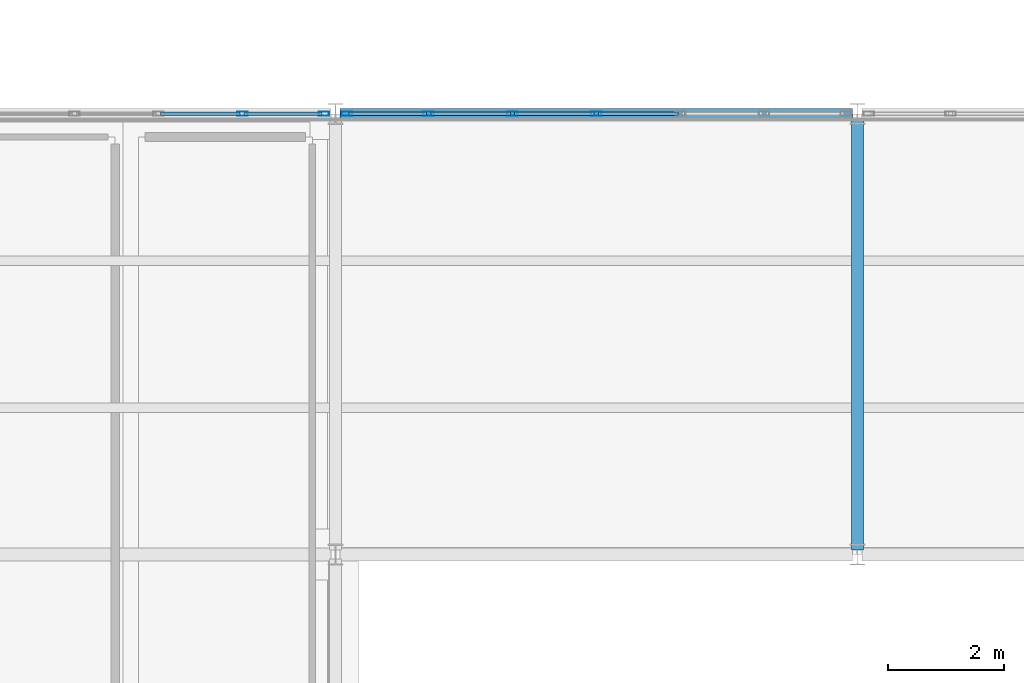
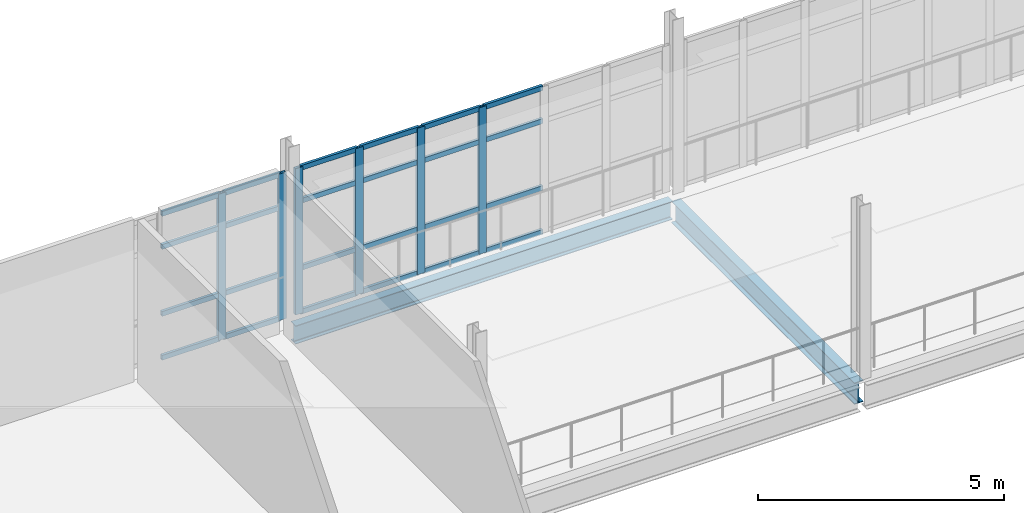
# One storey, part 45 of 174: 30 members, 2 beams, 2 elements without a shape of their own.
"""IFC4 building model written with IfcOpenShell, lengths in metres."""

import ifcopenshell
import ifcopenshell.guid

model = None  # the IFC model being written
_history = None  # IfcOwnerHistory: only IFC2X3 demands one
_inside = {}  # id of a spatial element -> (the spatial element, [elements in it])
_under = {}  # id of a project, library or spatial element -> (it, [spatial elements below it])
_declared = {}  # id of a project -> (the project, [libraries it declares])
_typed = {}  # id of a type object -> (the type object, [elements of that type])
_made_of = {}  # id of a material, layer set ... -> (it, [elements and type objects made of it])


def new_model(schema):
    """Start an empty IFC model of exactly this schema.

    Asked for "IFC4X3", IfcOpenShell would pick the latest addendum, in which some entities
    have other attributes; the version numbers below select the first issue.
    IFC2X3 requires an IfcOwnerHistory on every rooted entity: one is made here for all.
    """
    global model, _history
    if schema == "IFC4X3":
        model = ifcopenshell.file(schema_version=(4, 3, 0, 0))
    else:
        model = ifcopenshell.file(schema=schema)
    _inside.clear()
    _under.clear()
    _declared.clear()
    _typed.clear()
    _made_of.clear()
    _history = None
    if model.schema == "IFC2X3":
        org = make("IfcOrganization", Name="unknown")
        user = make(
            "IfcPersonAndOrganization",
            ThePerson=make("IfcPerson", FamilyName="unknown"),
            TheOrganization=org,
        )
        app = make(
            "IfcApplication",
            ApplicationDeveloper=org,
            Version="unknown",
            ApplicationFullName="unknown",
            ApplicationIdentifier="unknown",
        )
        _history = make(
            "IfcOwnerHistory",
            OwningUser=user,
            OwningApplication=app,
            ChangeAction="ADDED",
            CreationDate=0,
        )
    return model


def make(cls, **values):
    """One entity of the class cls with the attributes given. An attribute that is None is left unset."""
    return model.create_entity(
        cls, **{name: value for name, value in values.items() if value is not None}
    )


def rooted(cls, **values):
    """An entity with a GlobalId (a new one), such as an element, a storey or a relation."""
    return make(cls, GlobalId=ifcopenshell.guid.new(), OwnerHistory=_history, **values)


def si_unit(unit_type, name, prefix=None):
    """IfcSIUnit, for example si_unit("LENGTHUNIT", "METRE", prefix="MILLI")."""
    return make("IfcSIUnit", UnitType=unit_type, Prefix=prefix, Name=name)


def assignment(units):
    """IfcUnitAssignment: the units of a project."""
    return None if units is None else make("IfcUnitAssignment", Units=units)


def point(xyz):
    """IfcCartesianPoint."""
    return None if xyz is None else make("IfcCartesianPoint", Coordinates=xyz)


def direction(xyz):
    """IfcDirection."""
    return None if xyz is None else make("IfcDirection", DirectionRatios=xyz)


def frame(location, z_axis=None, x_axis=None):
    """IfcAxis2Placement3D, a coordinate frame: its origin and axes. An axis left out is left unset."""
    return make(
        "IfcAxis2Placement3D",
        Location=point(location),
        Axis=direction(z_axis),
        RefDirection=direction(x_axis),
    )


def frame_2d(location, x_axis=None):
    """IfcAxis2Placement2D, a coordinate frame in the plane: its origin and x axis."""
    return make(
        "IfcAxis2Placement2D", Location=point(location), RefDirection=direction(x_axis)
    )


def origin():
    """The frame at (0, 0, 0) with its axes left unset."""
    return frame((0.0, 0.0, 0.0))


def origin_2d():
    """The frame at (0, 0) in the plane with its x axis left unset."""
    return frame_2d((0.0, 0.0))


def place(relative_to, where):
    """IfcLocalPlacement: puts the frame where relative to a parent placement (None: the world)."""
    return make(
        "IfcLocalPlacement", PlacementRelTo=relative_to, RelativePlacement=where
    )


def context(
    kind, dimensions, precision=None, world=None, true_north=None, identifier=None
):
    """IfcGeometricRepresentationContext, for example the 3D "Model" context."""
    return make(
        "IfcGeometricRepresentationContext",
        ContextIdentifier=identifier,
        ContextType=kind,
        CoordinateSpaceDimension=dimensions,
        Precision=precision,
        WorldCoordinateSystem=world,
        TrueNorth=true_north,
    )


def subcontext(parent, identifier, kind, view, scale=None):
    """IfcGeometricRepresentationSubContext, for example "Body" below "Model"."""
    return make(
        "IfcGeometricRepresentationSubContext",
        ContextIdentifier=identifier,
        ContextType=kind,
        ParentContext=parent,
        TargetScale=scale,
        TargetView=view,
    )


def project(units=None, contexts=None):
    """IfcProject with its units and contexts."""
    return rooted(
        "IfcProject",
        Name="project",
        RepresentationContexts=contexts,
        UnitsInContext=assignment(units),
    )


def spatial(cls, under=None, at=None, **own):
    """A site, building, storey or space (cls), placed at a placement, below another one or the project."""
    s = rooted(cls, ObjectPlacement=at, **own)
    if under is not None:
        _under.setdefault(under.id(), (under, []))[1].append(s)
    return s


def profile(cls, at=None, kind="AREA", **sizes):
    """A parametric profile (cls). Its sizes go by their IFC names, for example OverallWidth=200.0."""
    return make(cls, ProfileType=kind, Position=at, **sizes)


def hollow_rectangle(**sizes):
    """IfcRectangleHollowProfileDef."""
    return profile("IfcRectangleHollowProfileDef", **sizes)


def i_section(**sizes):
    """IfcIShapeProfileDef."""
    return profile("IfcIShapeProfileDef", **sizes)


def extrude(swept, where, along, depth):
    """IfcExtrudedAreaSolid: the profile swept, set in the frame where, extruded along a direction by depth."""
    return make(
        "IfcExtrudedAreaSolid",
        SweptArea=swept,
        Position=where,
        ExtrudedDirection=direction(along),
        Depth=depth,
    )


def shape(context_of_items, identifier, shape_type, items):
    """IfcShapeRepresentation: the items that make up one representation, for example the "Body"."""
    return make(
        "IfcShapeRepresentation",
        ContextOfItems=context_of_items,
        RepresentationIdentifier=identifier,
        RepresentationType=shape_type,
        Items=items,
    )


def material(Name=None, Category=None):
    """IfcMaterial."""
    return make("IfcMaterial", Name=Name, Category=Category)


def material_profile(
    of_material, cross_section, Name=None, Category=None, Priority=None
):
    """IfcMaterialProfile: a cross section and its material."""
    return make(
        "IfcMaterialProfile",
        Name=Name,
        Material=of_material,
        Profile=cross_section,
        Priority=Priority,
        Category=Category,
    )


def profile_set(profiles, Name=None, composite=None):
    """IfcMaterialProfileSet."""
    return make(
        "IfcMaterialProfileSet",
        Name=Name,
        MaterialProfiles=profiles,
        CompositeProfile=composite,
    )


def made_of(thing, what):
    """Note that an element or type object is made of a material, layer set ...; save() writes the relation."""
    if what is not None:
        _made_of.setdefault(what.id(), (what, []))[1].append(thing)
    return thing


def type_object(cls, material=None, **own):
    """A type object (cls), such as IfcWallType, which elements share."""
    return made_of(rooted(cls, **own), material)


def element(
    cls,
    number,
    at=None,
    inside=None,
    cuts=None,
    type_object=None,
    material=None,
    context=None,
    identifier="Body",
    shape_type=None,
    held_by="IfcProductDefinitionShape",
    body=None,
    shapes=None,
    **own,
):
    """One element of the class cls, such as IfcWall. Its Tag is "e" and its number.

    at: its placement. inside: the storey or other place that contains it. cuts: it is an
    opening in that element (IfcRelVoidsElement). A single representation is given by context,
    identifier, shape_type and body (its items); several are given by shapes. held_by: the class
    of the entity that holds the representations. save() writes the other relations.
    """
    e = rooted(cls, Tag="e%d" % number, ObjectPlacement=at, **own)
    if body is not None:
        shapes = [shape(context, identifier, shape_type, body)]
    if shapes is not None:
        e.Representation = make(held_by, Representations=shapes)
    if inside is not None:
        _inside.setdefault(inside.id(), (inside, []))[1].append(e)
    if cuts is not None:
        rooted(
            "IfcRelVoidsElement", RelatingBuildingElement=cuts, RelatedOpeningElement=e
        )
    if type_object is not None:
        _typed.setdefault(type_object.id(), (type_object, []))[1].append(e)
    return made_of(e, material)


def aggregate(whole, parts):
    """IfcRelAggregates: a whole, such as a stair, and the parts it consists of."""
    return rooted("IfcRelAggregates", RelatingObject=whole, RelatedObjects=parts)


def save(model, path):
    """Write the relations noted so far, then the file.

    IfcRelAggregates (storeys below a building ...), IfcRelContainedInSpatialStructure (elements
    in a storey), IfcRelDefinesByType, IfcRelAssociatesMaterial and IfcRelDeclares: one each for
    every whole, place, type object, material and project.
    """
    for whole, parts in _under.values():
        aggregate(whole, parts)
    for where, things in _inside.values():
        rooted(
            "IfcRelContainedInSpatialStructure",
            RelatedElements=things,
            RelatingStructure=where,
        )
    for kind, things in _typed.values():
        rooted("IfcRelDefinesByType", RelatedObjects=things, RelatingType=kind)
    for what, things in _made_of.values():
        rooted("IfcRelAssociatesMaterial", RelatedObjects=things, RelatingMaterial=what)
    for by, libraries in _declared.values():
        rooted("IfcRelDeclares", RelatingContext=by, RelatedDefinitions=libraries)
    model.write(path)


model = new_model("IFC4")

# Units and contexts
model_context = context("Model", 3, precision=1e-05, world=origin(), true_north=direction((0.0, 1.0)))
body_context = subcontext(model_context, "Body", "Model", "MODEL_VIEW")
ifc_project = project(units=[si_unit("LENGTHUNIT", "METRE"), si_unit("AREAUNIT", "SQUARE_METRE"), si_unit("VOLUMEUNIT", "CUBIC_METRE"), si_unit("PLANEANGLEUNIT", "RADIAN"), si_unit("MASSUNIT", "GRAM", prefix="KILO")], contexts=[model_context])

# Site, building, storey
site_placement = place(None, origin())
site = spatial("IfcSite", under=ifc_project, at=site_placement, CompositionType="ELEMENT")
building_placement = place(site_placement, origin())
building = spatial("IfcBuilding", under=site, at=building_placement, Name="Caisbarro Railhouse Central Library", CompositionType="ELEMENT")
storey_placement = place(building_placement, frame((0.0, 0.0, 5.0400390625)))
storey = spatial("IfcBuildingStorey", under=building, at=storey_placement, Name="L01", CompositionType="ELEMENT", Elevation=5.0400390625)

# Beams
ifc_material_1 = material(Name="Steel ASTM A572 Grade 50", Category="steel")
ifc_material_profile_1 = material_profile(ifc_material_1, i_section(OverallWidth=0.208984375, OverallDepth=0.532958984375, WebThickness=0.01025390625, FlangeThickness=0.015625, FilletRadius=0.02001953125, at=origin_2d()), Name="W530X92.0")
ifc_profile_set_1 = profile_set([ifc_material_profile_1], Name="Steel ASTM A572 Grade 50")
beam_type_1 = type_object("IfcBeamType", Name="BM-G06", PredefinedType="BEAM", material=ifc_profile_set_1)
beam_1_placement = place(storey_placement, frame((27.0, 53.280029296875, -0.486572265625), z_axis=(0.0, 1.0, 0.0), x_axis=(-1.0, 0.0, 0.0)))
element("IfcBeam", 1, at=beam_1_placement, inside=storey, type_object=beam_type_1, Name="G06 beam L01 #838", PredefinedType="BEAM", context=body_context, shape_type="SweptSolid", body=[
    extrude(i_section(OverallWidth=0.208984375, OverallDepth=0.532958984375, WebThickness=0.01025390625, FlangeThickness=0.015625, FilletRadius=0.02001953125, at=origin_2d()), origin(), (0.0, 0.0, 1.0), 7.43994140625),
])
ifc_material_profile_2 = material_profile(ifc_material_1, i_section(OverallWidth=0.18994140625, OverallDepth=0.45703125, WebThickness=0.009033203125, FlangeThickness=0.014404296875, FilletRadius=0.01806640625, at=origin_2d()), Name="W460X74.0")
ifc_profile_set_2 = profile_set([ifc_material_profile_2], Name="Steel ASTM A572 Grade 50")
beam_type_2 = type_object("IfcBeamType", Name="BM-SP01", PredefinedType="SPANDREL", material=ifc_profile_set_2)
beam_2_placement = place(storey_placement, frame((18.080078125, 60.800048828125, -0.448486328125), z_axis=(1.0, 0.0, 0.0), x_axis=(0.0, 1.0, 0.0)))
element("IfcBeam", 2, at=beam_2_placement, inside=storey, type_object=beam_type_2, Name="SP01 beam L01 #819", PredefinedType="SPANDREL", context=body_context, shape_type="SweptSolid", body=[
    extrude(i_section(OverallWidth=0.18994140625, OverallDepth=0.45703125, WebThickness=0.009033203125, FlangeThickness=0.014404296875, FilletRadius=0.01806640625, at=origin_2d()), origin(), (0.0, 0.0, 1.0), 8.83984375),
])

# Curtain wall, members
ifc_material_2 = material(Name="Anodised architectural aluminium", Category="aluminium")
curtain_wall_type = type_object("IfcCurtainWallType", Name="CW-CW02", PredefinedType="NOTDEFINED", material=ifc_material_2)
curtain_wall_1_placement = place(storey_placement, origin())
curtain_wall_1 = element("IfcCurtainWall", 3, at=curtain_wall_1_placement, inside=storey, type_object=curtain_wall_type, Name="CW02 curtain wall L01 #4", PredefinedType="NOTDEFINED")
ifc_material_profile_3 = material_profile(ifc_material_2, hollow_rectangle(XDim=0.074951171875, YDim=0.179931640625, WallThickness=0.00439453125, at=origin_2d()), Name="ALU-MUL-75X180")
ifc_profile_set_3 = profile_set([ifc_material_profile_3], Name="Anodised architectural aluminium")
member_type_1 = type_object("IfcMemberType", Name="CWM-M01", PredefinedType="MULLION", material=ifc_profile_set_3)
member_1_placement = place(storey_placement, frame((16.393310546875, 60.800048828125, 0.0), z_axis=(0.0, 0.0, 1.0), x_axis=(0.0, 1.0, 0.0)))
member_1 = element("IfcMember", 4, at=member_1_placement, type_object=member_type_1, Name="CW02 mullion 6", PredefinedType="MULLION", context=body_context, shape_type="SweptSolid", body=[
    extrude(hollow_rectangle(XDim=0.074951171875, YDim=0.179931640625, WallThickness=0.00439453125, at=origin_2d()), origin(), (0.0, 0.0, 1.0), 3.6298828125),
])
member_2_placement = place(storey_placement, frame((17.802490234375, 60.800048828125, 0.0), z_axis=(0.0, 0.0, 1.0), x_axis=(0.0, 1.0, 0.0)))
member_2 = element("IfcMember", 5, at=member_2_placement, type_object=member_type_1, Name="CW02 mullion 7", PredefinedType="MULLION", context=body_context, shape_type="SweptSolid", body=[
    extrude(hollow_rectangle(XDim=0.074951171875, YDim=0.179931640625, WallThickness=0.00439453125, at=origin_2d()), origin(), (0.0, 0.0, 1.0), 3.6298828125),
])

curtain_wall_2_placement = place(storey_placement, origin())
curtain_wall_2 = element("IfcCurtainWall", 6, at=curtain_wall_2_placement, inside=storey, type_object=curtain_wall_type, Name="CW02 curtain wall L01 #7", PredefinedType="NOTDEFINED")
member_3_placement = place(storey_placement, frame((18.197509765625, 60.800048828125, 0.0), z_axis=(0.0, 0.0, 1.0), x_axis=(0.0, 1.0, 0.0)))
member_3 = element("IfcMember", 7, at=member_3_placement, type_object=member_type_1, Name="CW02 mullion 1", PredefinedType="MULLION", context=body_context, shape_type="SweptSolid", body=[
    extrude(hollow_rectangle(XDim=0.074951171875, YDim=0.179931640625, WallThickness=0.00439453125, at=origin_2d()), origin(), (0.0, 0.0, 1.0), 3.6298828125),
])
member_4_placement = place(storey_placement, frame((19.606689453125, 60.800048828125, 0.0), z_axis=(0.0, 0.0, 1.0), x_axis=(0.0, 1.0, 0.0)))
member_4 = element("IfcMember", 8, at=member_4_placement, type_object=member_type_1, Name="CW02 mullion 2", PredefinedType="MULLION", context=body_context, shape_type="SweptSolid", body=[
    extrude(hollow_rectangle(XDim=0.074951171875, YDim=0.179931640625, WallThickness=0.00439453125, at=origin_2d()), origin(), (0.0, 0.0, 1.0), 3.6298828125),
])
member_5_placement = place(storey_placement, frame((21.05322265625, 60.800048828125, 0.0), z_axis=(0.0, 0.0, 1.0), x_axis=(0.0, 1.0, 0.0)))
member_5 = element("IfcMember", 9, at=member_5_placement, type_object=member_type_1, Name="CW02 mullion 3", PredefinedType="MULLION", context=body_context, shape_type="SweptSolid", body=[
    extrude(hollow_rectangle(XDim=0.074951171875, YDim=0.179931640625, WallThickness=0.00439453125, at=origin_2d()), origin(), (0.0, 0.0, 1.0), 3.6298828125),
])
member_6_placement = place(storey_placement, frame((22.5, 60.800048828125, 0.0), z_axis=(0.0, 0.0, 1.0), x_axis=(0.0, 1.0, 0.0)))
member_6 = element("IfcMember", 10, at=member_6_placement, type_object=member_type_1, Name="CW02 mullion 4", PredefinedType="MULLION", context=body_context, shape_type="SweptSolid", body=[
    extrude(hollow_rectangle(XDim=0.074951171875, YDim=0.179931640625, WallThickness=0.00439453125, at=origin_2d()), origin(), (0.0, 0.0, 1.0), 3.6298828125),
])

# Member
ifc_material_profile_4 = material_profile(ifc_material_2, hollow_rectangle(XDim=0.06494140625, YDim=0.1201171875, WallThickness=0.00341796875, at=origin_2d()), Name="ALU-TRN-65X120")
ifc_profile_set_4 = profile_set([ifc_material_profile_4], Name="Anodised architectural aluminium")
member_type_2 = type_object("IfcMemberType", Name="CWT-T02", PredefinedType="USERDEFINED", material=ifc_profile_set_4)
member_7_placement = place(storey_placement, frame((14.984130859375, 60.800048828125, 0.032470703125), z_axis=(1.0, 0.0, 0.0), x_axis=(0.0, 1.0, 0.0)))
member_7 = element("IfcMember", 11, at=member_7_placement, type_object=member_type_2, Name="CW02 transom 5.1", ObjectType="TRANSOM", PredefinedType="USERDEFINED", context=body_context, shape_type="SweptSolid", body=[
    extrude(hollow_rectangle(XDim=0.06494140625, YDim=0.1201171875, WallThickness=0.00341796875, at=origin_2d()), origin(), (0.0, 0.0, 1.0), 1.37158203125),
])

member_8_placement = place(storey_placement, frame((14.984130859375, 60.800048828125, 1.119873046875), z_axis=(1.0, 0.0, 0.0), x_axis=(0.0, 1.0, 0.0)))
member_8 = element("IfcMember", 12, at=member_8_placement, type_object=member_type_2, Name="CW02 transom 5.2", ObjectType="TRANSOM", PredefinedType="USERDEFINED", context=body_context, shape_type="SweptSolid", body=[
    extrude(hollow_rectangle(XDim=0.06494140625, YDim=0.1201171875, WallThickness=0.00341796875, at=origin_2d()), origin(), (0.0, 0.0, 1.0), 1.37158203125),
])

member_9_placement = place(storey_placement, frame((14.984130859375, 60.800048828125, 2.780029296875), z_axis=(1.0, 0.0, 0.0), x_axis=(0.0, 1.0, 0.0)))
member_9 = element("IfcMember", 13, at=member_9_placement, type_object=member_type_2, Name="CW02 transom 5.3", ObjectType="TRANSOM", PredefinedType="USERDEFINED", context=body_context, shape_type="SweptSolid", body=[
    extrude(hollow_rectangle(XDim=0.06494140625, YDim=0.1201171875, WallThickness=0.00341796875, at=origin_2d()), origin(), (0.0, 0.0, 1.0), 1.37158203125),
])

member_10_placement = place(storey_placement, frame((14.984130859375, 60.800048828125, 3.597412109375), z_axis=(1.0, 0.0, 0.0), x_axis=(0.0, 1.0, 0.0)))
member_10 = element("IfcMember", 14, at=member_10_placement, type_object=member_type_2, Name="CW02 transom 5.4", ObjectType="TRANSOM", PredefinedType="USERDEFINED", context=body_context, shape_type="SweptSolid", body=[
    extrude(hollow_rectangle(XDim=0.06494140625, YDim=0.1201171875, WallThickness=0.00341796875, at=origin_2d()), origin(), (0.0, 0.0, 1.0), 1.37158203125),
])

member_11_placement = place(storey_placement, frame((16.430908203125, 60.800048828125, 0.032470703125), z_axis=(1.0, 0.0, 0.0), x_axis=(0.0, 1.0, 0.0)))
member_11 = element("IfcMember", 15, at=member_11_placement, type_object=member_type_2, Name="CW02 transom 6.1", ObjectType="TRANSOM", PredefinedType="USERDEFINED", context=body_context, shape_type="SweptSolid", body=[
    extrude(hollow_rectangle(XDim=0.06494140625, YDim=0.1201171875, WallThickness=0.00341796875, at=origin_2d()), origin(), (0.0, 0.0, 1.0), 1.333984375),
])

member_12_placement = place(storey_placement, frame((16.430908203125, 60.800048828125, 1.119873046875), z_axis=(1.0, 0.0, 0.0), x_axis=(0.0, 1.0, 0.0)))
member_12 = element("IfcMember", 16, at=member_12_placement, type_object=member_type_2, Name="CW02 transom 6.2", ObjectType="TRANSOM", PredefinedType="USERDEFINED", context=body_context, shape_type="SweptSolid", body=[
    extrude(hollow_rectangle(XDim=0.06494140625, YDim=0.1201171875, WallThickness=0.00341796875, at=origin_2d()), origin(), (0.0, 0.0, 1.0), 1.333984375),
])

member_13_placement = place(storey_placement, frame((16.430908203125, 60.800048828125, 2.780029296875), z_axis=(1.0, 0.0, 0.0), x_axis=(0.0, 1.0, 0.0)))
member_13 = element("IfcMember", 17, at=member_13_placement, type_object=member_type_2, Name="CW02 transom 6.3", ObjectType="TRANSOM", PredefinedType="USERDEFINED", context=body_context, shape_type="SweptSolid", body=[
    extrude(hollow_rectangle(XDim=0.06494140625, YDim=0.1201171875, WallThickness=0.00341796875, at=origin_2d()), origin(), (0.0, 0.0, 1.0), 1.333984375),
])

member_14_placement = place(storey_placement, frame((16.430908203125, 60.800048828125, 3.597412109375), z_axis=(1.0, 0.0, 0.0), x_axis=(0.0, 1.0, 0.0)))
member_14 = element("IfcMember", 18, at=member_14_placement, type_object=member_type_2, Name="CW02 transom 6.4", ObjectType="TRANSOM", PredefinedType="USERDEFINED", context=body_context, shape_type="SweptSolid", body=[
    extrude(hollow_rectangle(XDim=0.06494140625, YDim=0.1201171875, WallThickness=0.00341796875, at=origin_2d()), origin(), (0.0, 0.0, 1.0), 1.333984375),
])

aggregate(curtain_wall_1, [member_1, member_2, member_7, member_8, member_9, member_10, member_11, member_12, member_13, member_14])

member_15_placement = place(storey_placement, frame((18.235107421875, 60.800048828125, 0.032470703125), z_axis=(1.0, 0.0, 0.0), x_axis=(0.0, 1.0, 0.0)))
member_15 = element("IfcMember", 19, at=member_15_placement, type_object=member_type_2, Name="CW02 transom 1.1", ObjectType="TRANSOM", PredefinedType="USERDEFINED", context=body_context, shape_type="SweptSolid", body=[
    extrude(hollow_rectangle(XDim=0.06494140625, YDim=0.1201171875, WallThickness=0.00341796875, at=origin_2d()), origin(), (0.0, 0.0, 1.0), 1.333984375),
])

member_16_placement = place(storey_placement, frame((18.235107421875, 60.800048828125, 1.119873046875), z_axis=(1.0, 0.0, 0.0), x_axis=(0.0, 1.0, 0.0)))
member_16 = element("IfcMember", 20, at=member_16_placement, type_object=member_type_2, Name="CW02 transom 1.2", ObjectType="TRANSOM", PredefinedType="USERDEFINED", context=body_context, shape_type="SweptSolid", body=[
    extrude(hollow_rectangle(XDim=0.06494140625, YDim=0.1201171875, WallThickness=0.00341796875, at=origin_2d()), origin(), (0.0, 0.0, 1.0), 1.333984375),
])

member_17_placement = place(storey_placement, frame((18.235107421875, 60.800048828125, 2.780029296875), z_axis=(1.0, 0.0, 0.0), x_axis=(0.0, 1.0, 0.0)))
member_17 = element("IfcMember", 21, at=member_17_placement, type_object=member_type_2, Name="CW02 transom 1.3", ObjectType="TRANSOM", PredefinedType="USERDEFINED", context=body_context, shape_type="SweptSolid", body=[
    extrude(hollow_rectangle(XDim=0.06494140625, YDim=0.1201171875, WallThickness=0.00341796875, at=origin_2d()), origin(), (0.0, 0.0, 1.0), 1.333984375),
])

member_18_placement = place(storey_placement, frame((18.235107421875, 60.800048828125, 3.597412109375), z_axis=(1.0, 0.0, 0.0), x_axis=(0.0, 1.0, 0.0)))
member_18 = element("IfcMember", 22, at=member_18_placement, type_object=member_type_2, Name="CW02 transom 1.4", ObjectType="TRANSOM", PredefinedType="USERDEFINED", context=body_context, shape_type="SweptSolid", body=[
    extrude(hollow_rectangle(XDim=0.06494140625, YDim=0.1201171875, WallThickness=0.00341796875, at=origin_2d()), origin(), (0.0, 0.0, 1.0), 1.333984375),
])

member_19_placement = place(storey_placement, frame((19.644287109375, 60.800048828125, 0.032470703125), z_axis=(1.0, 0.0, 0.0), x_axis=(0.0, 1.0, 0.0)))
member_19 = element("IfcMember", 23, at=member_19_placement, type_object=member_type_2, Name="CW02 transom 2.1", ObjectType="TRANSOM", PredefinedType="USERDEFINED", context=body_context, shape_type="SweptSolid", body=[
    extrude(hollow_rectangle(XDim=0.06494140625, YDim=0.1201171875, WallThickness=0.00341796875, at=origin_2d()), origin(), (0.0, 0.0, 1.0), 1.37158203125),
])

member_20_placement = place(storey_placement, frame((19.644287109375, 60.800048828125, 1.119873046875), z_axis=(1.0, 0.0, 0.0), x_axis=(0.0, 1.0, 0.0)))
member_20 = element("IfcMember", 24, at=member_20_placement, type_object=member_type_2, Name="CW02 transom 2.2", ObjectType="TRANSOM", PredefinedType="USERDEFINED", context=body_context, shape_type="SweptSolid", body=[
    extrude(hollow_rectangle(XDim=0.06494140625, YDim=0.1201171875, WallThickness=0.00341796875, at=origin_2d()), origin(), (0.0, 0.0, 1.0), 1.37158203125),
])

member_21_placement = place(storey_placement, frame((19.644287109375, 60.800048828125, 2.780029296875), z_axis=(1.0, 0.0, 0.0), x_axis=(0.0, 1.0, 0.0)))
member_21 = element("IfcMember", 25, at=member_21_placement, type_object=member_type_2, Name="CW02 transom 2.3", ObjectType="TRANSOM", PredefinedType="USERDEFINED", context=body_context, shape_type="SweptSolid", body=[
    extrude(hollow_rectangle(XDim=0.06494140625, YDim=0.1201171875, WallThickness=0.00341796875, at=origin_2d()), origin(), (0.0, 0.0, 1.0), 1.37158203125),
])

member_22_placement = place(storey_placement, frame((19.644287109375, 60.800048828125, 3.597412109375), z_axis=(1.0, 0.0, 0.0), x_axis=(0.0, 1.0, 0.0)))
member_22 = element("IfcMember", 26, at=member_22_placement, type_object=member_type_2, Name="CW02 transom 2.4", ObjectType="TRANSOM", PredefinedType="USERDEFINED", context=body_context, shape_type="SweptSolid", body=[
    extrude(hollow_rectangle(XDim=0.06494140625, YDim=0.1201171875, WallThickness=0.00341796875, at=origin_2d()), origin(), (0.0, 0.0, 1.0), 1.37158203125),
])

member_23_placement = place(storey_placement, frame((21.0908203125, 60.800048828125, 0.032470703125), z_axis=(1.0, 0.0, 0.0), x_axis=(0.0, 1.0, 0.0)))
member_23 = element("IfcMember", 27, at=member_23_placement, type_object=member_type_2, Name="CW02 transom 3.1", ObjectType="TRANSOM", PredefinedType="USERDEFINED", context=body_context, shape_type="SweptSolid", body=[
    extrude(hollow_rectangle(XDim=0.06494140625, YDim=0.1201171875, WallThickness=0.00341796875, at=origin_2d()), origin(), (0.0, 0.0, 1.0), 1.37158203125),
])

member_24_placement = place(storey_placement, frame((21.0908203125, 60.800048828125, 1.119873046875), z_axis=(1.0, 0.0, 0.0), x_axis=(0.0, 1.0, 0.0)))
member_24 = element("IfcMember", 28, at=member_24_placement, type_object=member_type_2, Name="CW02 transom 3.2", ObjectType="TRANSOM", PredefinedType="USERDEFINED", context=body_context, shape_type="SweptSolid", body=[
    extrude(hollow_rectangle(XDim=0.06494140625, YDim=0.1201171875, WallThickness=0.00341796875, at=origin_2d()), origin(), (0.0, 0.0, 1.0), 1.37158203125),
])

member_25_placement = place(storey_placement, frame((21.0908203125, 60.800048828125, 2.780029296875), z_axis=(1.0, 0.0, 0.0), x_axis=(0.0, 1.0, 0.0)))
member_25 = element("IfcMember", 29, at=member_25_placement, type_object=member_type_2, Name="CW02 transom 3.3", ObjectType="TRANSOM", PredefinedType="USERDEFINED", context=body_context, shape_type="SweptSolid", body=[
    extrude(hollow_rectangle(XDim=0.06494140625, YDim=0.1201171875, WallThickness=0.00341796875, at=origin_2d()), origin(), (0.0, 0.0, 1.0), 1.37158203125),
])

member_26_placement = place(storey_placement, frame((21.0908203125, 60.800048828125, 3.597412109375), z_axis=(1.0, 0.0, 0.0), x_axis=(0.0, 1.0, 0.0)))
member_26 = element("IfcMember", 30, at=member_26_placement, type_object=member_type_2, Name="CW02 transom 3.4", ObjectType="TRANSOM", PredefinedType="USERDEFINED", context=body_context, shape_type="SweptSolid", body=[
    extrude(hollow_rectangle(XDim=0.06494140625, YDim=0.1201171875, WallThickness=0.00341796875, at=origin_2d()), origin(), (0.0, 0.0, 1.0), 1.37158203125),
])

member_27_placement = place(storey_placement, frame((22.53759765625, 60.800048828125, 0.032470703125), z_axis=(1.0, 0.0, 0.0), x_axis=(0.0, 1.0, 0.0)))
member_27 = element("IfcMember", 31, at=member_27_placement, type_object=member_type_2, Name="CW02 transom 4.1", ObjectType="TRANSOM", PredefinedType="USERDEFINED", context=body_context, shape_type="SweptSolid", body=[
    extrude(hollow_rectangle(XDim=0.06494140625, YDim=0.1201171875, WallThickness=0.00341796875, at=origin_2d()), origin(), (0.0, 0.0, 1.0), 1.37158203125),
])

member_28_placement = place(storey_placement, frame((22.53759765625, 60.800048828125, 1.119873046875), z_axis=(1.0, 0.0, 0.0), x_axis=(0.0, 1.0, 0.0)))
member_28 = element("IfcMember", 32, at=member_28_placement, type_object=member_type_2, Name="CW02 transom 4.2", ObjectType="TRANSOM", PredefinedType="USERDEFINED", context=body_context, shape_type="SweptSolid", body=[
    extrude(hollow_rectangle(XDim=0.06494140625, YDim=0.1201171875, WallThickness=0.00341796875, at=origin_2d()), origin(), (0.0, 0.0, 1.0), 1.37158203125),
])

member_29_placement = place(storey_placement, frame((22.53759765625, 60.800048828125, 2.780029296875), z_axis=(1.0, 0.0, 0.0), x_axis=(0.0, 1.0, 0.0)))
member_29 = element("IfcMember", 33, at=member_29_placement, type_object=member_type_2, Name="CW02 transom 4.3", ObjectType="TRANSOM", PredefinedType="USERDEFINED", context=body_context, shape_type="SweptSolid", body=[
    extrude(hollow_rectangle(XDim=0.06494140625, YDim=0.1201171875, WallThickness=0.00341796875, at=origin_2d()), origin(), (0.0, 0.0, 1.0), 1.37158203125),
])

member_30_placement = place(storey_placement, frame((22.53759765625, 60.800048828125, 3.597412109375), z_axis=(1.0, 0.0, 0.0), x_axis=(0.0, 1.0, 0.0)))
member_30 = element("IfcMember", 34, at=member_30_placement, type_object=member_type_2, Name="CW02 transom 4.4", ObjectType="TRANSOM", PredefinedType="USERDEFINED", context=body_context, shape_type="SweptSolid", body=[
    extrude(hollow_rectangle(XDim=0.06494140625, YDim=0.1201171875, WallThickness=0.00341796875, at=origin_2d()), origin(), (0.0, 0.0, 1.0), 1.37158203125),
])

aggregate(curtain_wall_2, [member_3, member_4, member_5, member_6, member_15, member_16, member_17, member_18, member_19, member_20, member_21, member_22, member_23, member_24, member_25, member_26, member_27, member_28, member_29, member_30])

save(model, "model.ifc")
